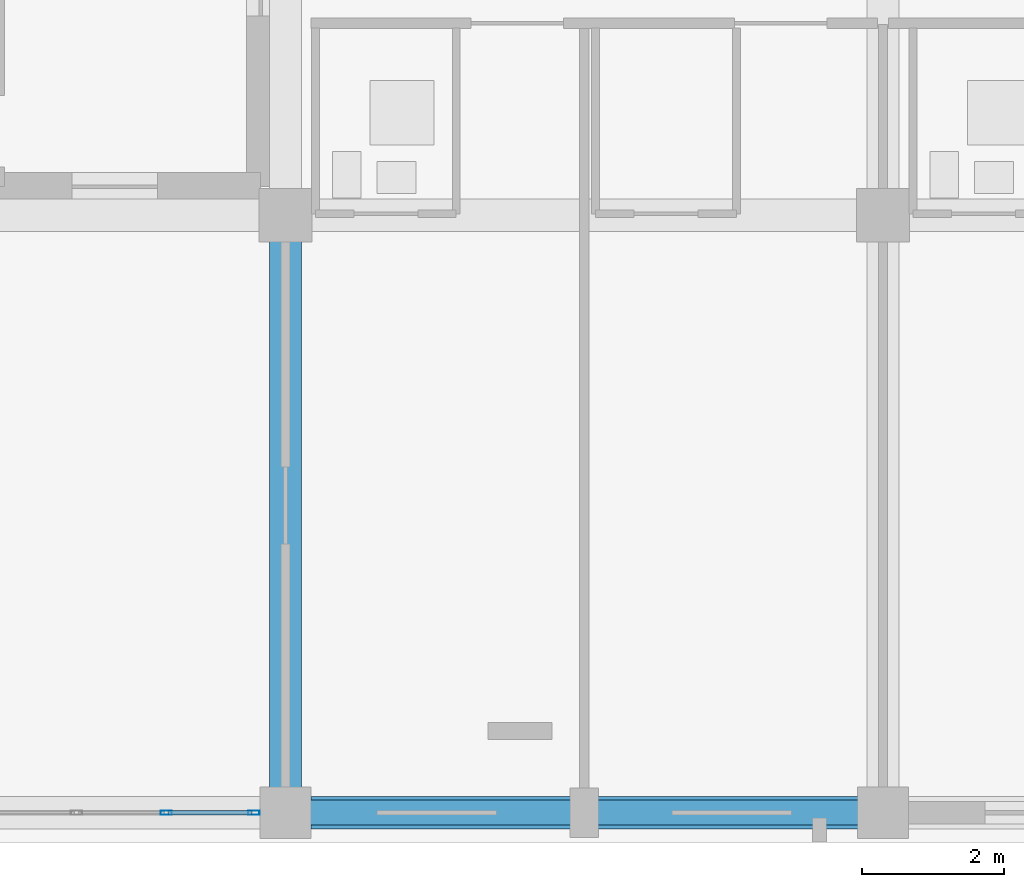
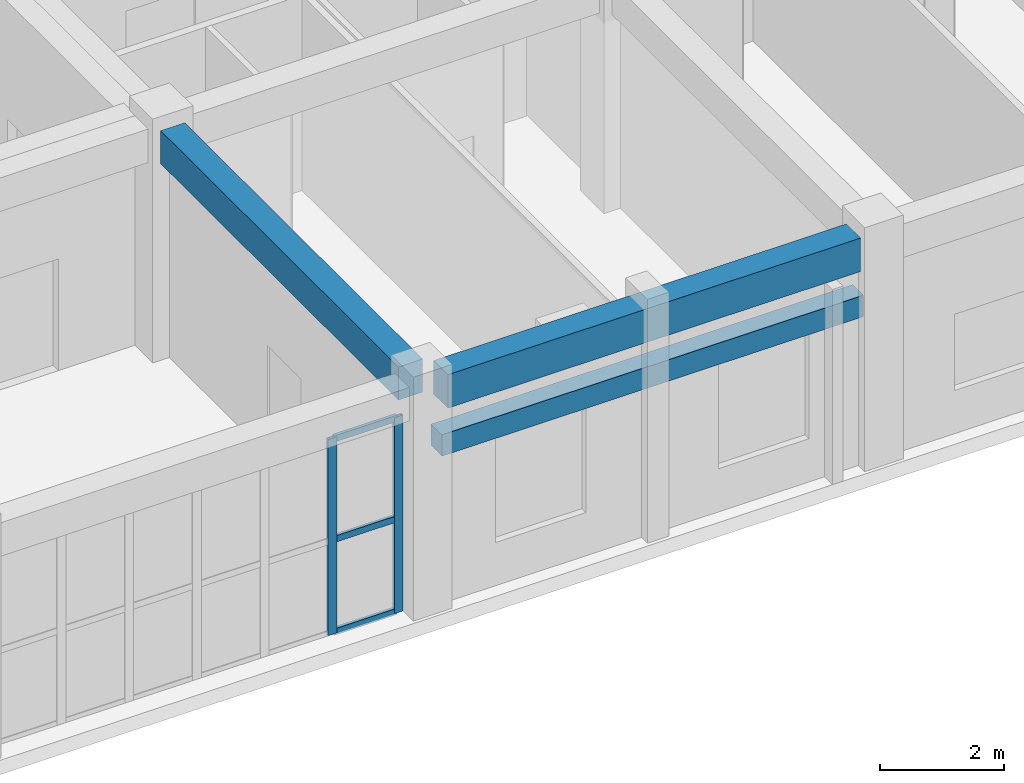
# One storey, part 19 of 158: 5 members, 3 beams, 1 element without a shape of its own.
"""IFC4 building model written with IfcOpenShell, lengths in metres."""

from ifc_helpers import new_model, si_unit, direction, frame, origin, origin_2d, place, context, subcontext, project, spatial, rectangle, hollow_rectangle, extrude, material, layer, layer_set, material_profile, profile_set, type_object, element, aggregate, save


model = new_model("IFC4")

# Units and contexts
model_context = context("Model", 3, precision=1e-05, world=origin(), true_north=direction((0.0, 1.0)))
body_context = subcontext(model_context, "Body", "Model", "MODEL_VIEW")
ifc_project = project(units=[si_unit("LENGTHUNIT", "METRE"), si_unit("AREAUNIT", "SQUARE_METRE"), si_unit("VOLUMEUNIT", "CUBIC_METRE"), si_unit("PLANEANGLEUNIT", "RADIAN"), si_unit("MASSUNIT", "GRAM", prefix="KILO")], contexts=[model_context])

# Site, building, storey
site_placement = place(None, origin())
site = spatial("IfcSite", under=ifc_project, at=site_placement, CompositionType="ELEMENT")
building_placement = place(site_placement, origin())
building = spatial("IfcBuilding", under=site, at=building_placement, Name="Trelvath General Hospital", CompositionType="ELEMENT")
storey_placement = place(building_placement, frame((0.0, 0.0, 8.10009765625)))
storey = spatial("IfcBuildingStorey", under=building, at=storey_placement, Name="L02", CompositionType="ELEMENT", Elevation=8.10009765625)

# Beams
ifc_material_1 = material(Name="Concrete C35/45", Category="concrete")
ifc_material_profile_1 = material_profile(ifc_material_1, rectangle(XDim=0.449951171875, YDim=0.64990234375, at=origin_2d()), Name="RCB450x650")
ifc_profile_set_1 = profile_set([ifc_material_profile_1], Name="Concrete C35/45")
beam_type_1 = type_object("IfcBeamType", Name="Beam RC450x650", PredefinedType="BEAM", material=ifc_profile_set_1)
beam_1_placement = place(storey_placement, frame((50.39990234375, 0.35498046875, 4.19482421875), z_axis=(0.0, 1.0, 0.0), x_axis=(-1.0, 0.0, 0.0)))
element("IfcBeam", 1, at=beam_1_placement, inside=storey, type_object=beam_type_1, Name="Grid Beam BY-206A", PredefinedType="BEAM", context=body_context, shape_type="SweptSolid", body=[
    extrude(rectangle(XDim=0.449951171875, YDim=0.64990234375, at=origin_2d()), origin(), (0.0, 0.0, 1.0), 7.675048828125),
])
ifc_material_2 = material(Name="Concrete C35/45", Category="concrete")
ifc_material_profile_2 = material_profile(ifc_material_2, rectangle(XDim=0.4599609375, YDim=0.659912109375, at=origin_2d()), Name="RCB460x660")
ifc_profile_set_2 = profile_set([ifc_material_profile_2], Name="Concrete C35/45")
beam_type_2 = type_object("IfcBeamType", Name="Beam RC460x660", PredefinedType="BEAM", material=ifc_profile_set_2)
beam_2_placement = place(storey_placement, frame((50.7548828125, 0.0, 4.18994140625), z_axis=(1.0, 0.0, 0.0), x_axis=(0.0, 1.0, 0.0)))
element("IfcBeam", 2, at=beam_2_placement, inside=storey, type_object=beam_type_2, Name="Grid Beam BX-206A", PredefinedType="BEAM", context=body_context, shape_type="SweptSolid", body=[
    extrude(rectangle(XDim=0.4599609375, YDim=0.659912109375, at=origin_2d()), origin(), (0.0, 0.0, 1.0), 7.690185546875),
])

# Curtain wall, members
ifc_material_3 = material(Name="Anodised aluminium and low-E glass", Category="aluminium")
ifc_layer = layer(ifc_material_3, 0.159912109375)
ifc_layer_set = layer_set([ifc_layer], Name="Anodised aluminium and low-E glass")
curtain_wall_type = type_object("IfcCurtainWallType", Name="CW Facade 757 386 16", PredefinedType="USERDEFINED", material=ifc_layer_set)
curtain_wall_placement = place(storey_placement, origin())
curtain_wall = element("IfcCurtainWall", 3, at=curtain_wall_placement, inside=storey, type_object=curtain_wall_type, Name="Facade Curtain Wall CW-040", ObjectType="Unitised Glazed Curtain Wall", PredefinedType="USERDEFINED")
ifc_material_4 = material(Name="Anodised aluminium", Category="aluminium")
ifc_material_profile_3 = material_profile(ifc_material_4, hollow_rectangle(XDim=0.06005859375, YDim=0.159912109375, WallThickness=0.00390625, at=origin_2d()), Name="RHS60x160x4")
ifc_profile_set_3 = profile_set([ifc_material_profile_3], Name="Anodised aluminium")
member_type_1 = type_object("IfcMemberType", Name="CurtainMullion 60x160", PredefinedType="MULLION", material=ifc_profile_set_3)
member_1_placement = place(storey_placement, frame((49.955078125, 0.0, 0.0), z_axis=(0.0, 0.0, 1.0), x_axis=(0.0, -1.0, 0.0)))
member_1 = element("IfcMember", 4, at=member_1_placement, type_object=member_type_1, Name="CW-040 mullion 1", PredefinedType="MULLION", context=body_context, shape_type="SweptSolid", body=[
    extrude(hollow_rectangle(XDim=0.06005859375, YDim=0.159912109375, WallThickness=0.00390625, at=origin_2d()), origin(), (0.0, 0.0, 1.0), 3.85986328125),
])
member_2_placement = place(storey_placement, frame((48.723388671875, 0.0, 0.0), z_axis=(0.0, 0.0, 1.0), x_axis=(0.0, -1.0, 0.0)))
member_2 = element("IfcMember", 5, at=member_2_placement, type_object=member_type_1, Name="CW-040 mullion 2", PredefinedType="MULLION", context=body_context, shape_type="SweptSolid", body=[
    extrude(hollow_rectangle(XDim=0.06005859375, YDim=0.159912109375, WallThickness=0.00390625, at=origin_2d()), origin(), (0.0, 0.0, 1.0), 3.85986328125),
])
ifc_material_5 = material(Name="Anodised aluminium", Category="aluminium")
ifc_material_profile_4 = material_profile(ifc_material_5, hollow_rectangle(XDim=0.06005859375, YDim=0.125, WallThickness=0.00390625, at=origin_2d()), Name="RHS60x125x4")
ifc_profile_set_4 = profile_set([ifc_material_profile_4], Name="Anodised aluminium")
member_type_2 = type_object("IfcMemberType", Name="CurtainTransom 60x125", PredefinedType="USERDEFINED", material=ifc_profile_set_4)
member_3_placement = place(storey_placement, frame((49.925048828125, 0.0, 0.02978515625), z_axis=(-1.0, 0.0, 0.0), x_axis=(0.0, -1.0, 0.0)))
member_3 = element("IfcMember", 6, at=member_3_placement, type_object=member_type_2, Name="CW-040 transom 1.1", ObjectType="TRANSOM", PredefinedType="USERDEFINED", context=body_context, shape_type="SweptSolid", body=[
    extrude(hollow_rectangle(XDim=0.06005859375, YDim=0.125, WallThickness=0.00390625, at=origin_2d()), origin(), (0.0, 0.0, 1.0), 1.171630859375),
])
member_4_placement = place(storey_placement, frame((49.925048828125, 0.0, 1.852783203125), z_axis=(-1.0, 0.0, 0.0), x_axis=(0.0, -1.0, 0.0)))
member_4 = element("IfcMember", 7, at=member_4_placement, type_object=member_type_2, Name="CW-040 transom 1.2", ObjectType="TRANSOM", PredefinedType="USERDEFINED", context=body_context, shape_type="SweptSolid", body=[
    extrude(hollow_rectangle(XDim=0.06005859375, YDim=0.125, WallThickness=0.00390625, at=origin_2d()), origin(), (0.0, 0.0, 1.0), 1.171630859375),
])
member_5_placement = place(storey_placement, frame((49.925048828125, 0.0, 3.829833984375), z_axis=(-1.0, 0.0, 0.0), x_axis=(0.0, -1.0, 0.0)))
member_5 = element("IfcMember", 8, at=member_5_placement, type_object=member_type_2, Name="CW-040 transom 1.3", ObjectType="TRANSOM", PredefinedType="USERDEFINED", context=body_context, shape_type="SweptSolid", body=[
    extrude(hollow_rectangle(XDim=0.06005859375, YDim=0.125, WallThickness=0.00390625, at=origin_2d()), origin(), (0.0, 0.0, 1.0), 1.171630859375),
])
aggregate(curtain_wall, [member_1, member_2, member_3, member_4, member_5])

# Beam
ifc_material_6 = material(Name="Precast concrete C40/50", Category="concrete")
ifc_material_profile_5 = material_profile(ifc_material_6, rectangle(XDim=0.35009765625, YDim=0.419921875, at=origin_2d()), Name="PCL350x420")
ifc_profile_set_5 = profile_set([ifc_material_profile_5], Name="Precast concrete C40/50")
beam_type_3 = type_object("IfcBeamType", Name="Lintel PC350x420", PredefinedType="LINTEL", material=ifc_profile_set_5)
beam_3_placement = place(storey_placement, frame((58.52490234375, 0.0, 3.119873046875), z_axis=(-1.0, 0.0, 0.0), x_axis=(0.0, -1.0, 0.0)))
element("IfcBeam", 9, at=beam_3_placement, inside=storey, type_object=beam_type_3, Name="Precast Window Brow Lintel L02-254", PredefinedType="LINTEL", context=body_context, shape_type="SweptSolid", body=[
    extrude(rectangle(XDim=0.35009765625, YDim=0.419921875, at=origin_2d()), origin(), (0.0, 0.0, 1.0), 7.849853515625),
])

save(model, "model.ifc")
